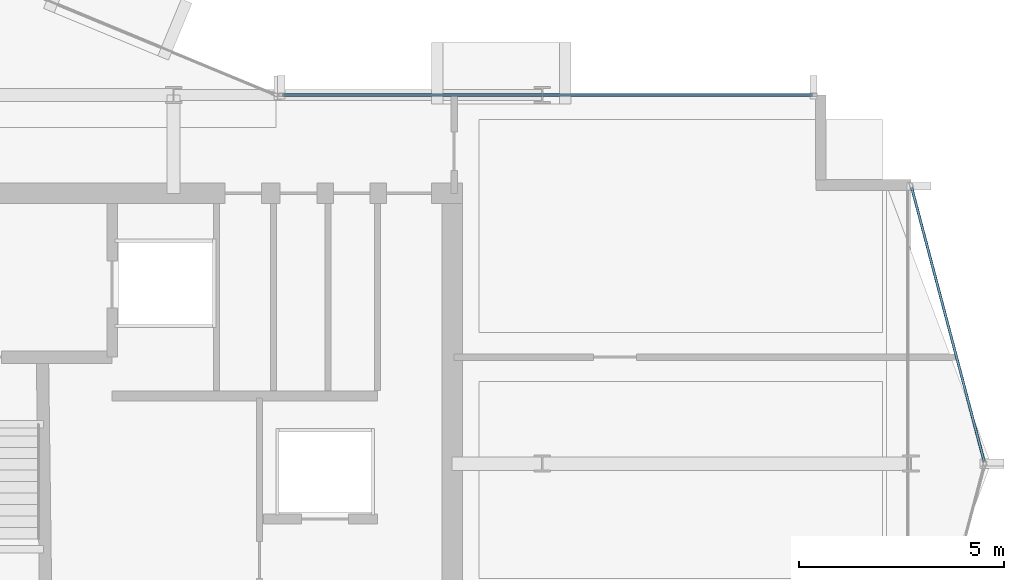
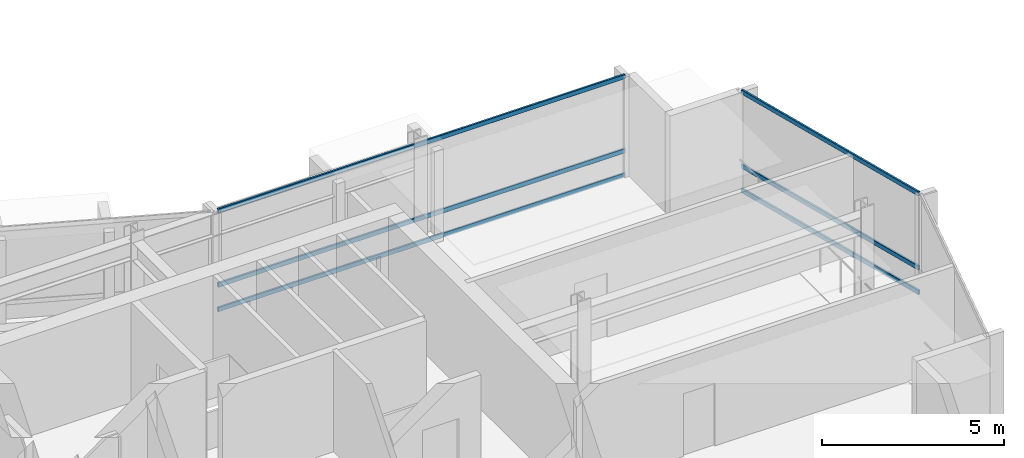
# One storey, part 13 of 27: 6 members, 2 elements without a shape of their own.
"""IFC4 building model written with IfcOpenShell, lengths in metres."""

from ifc_helpers import new_model, si_unit, direction, frame, origin, origin_2d, place, context, subcontext, project, spatial, hollow_rectangle, extrude, material, layer, layer_set, material_profile, profile_set, type_object, element, aggregate, save


model = new_model("IFC4")

# Units and contexts
model_context = context("Model", 3, precision=1e-05, world=origin(), true_north=direction((0.0, 1.0)))
body_context = subcontext(model_context, "Body", "Model", "MODEL_VIEW")
ifc_project = project(units=[si_unit("LENGTHUNIT", "METRE"), si_unit("AREAUNIT", "SQUARE_METRE"), si_unit("VOLUMEUNIT", "CUBIC_METRE"), si_unit("PLANEANGLEUNIT", "RADIAN"), si_unit("MASSUNIT", "GRAM", prefix="KILO")], contexts=[model_context])

# Site, building, storey
site_placement = place(None, origin())
site = spatial("IfcSite", under=ifc_project, at=site_placement, CompositionType="ELEMENT")
building_placement = place(site_placement, origin())
building = spatial("IfcBuilding", under=site, at=building_placement, Name="Solvaryn Broadcast Tower", CompositionType="ELEMENT")
storey_placement = place(building_placement, frame((0.0, 0.0, 192.699951171875)))
storey = spatial("IfcBuildingStorey", under=building, at=storey_placement, Name="L48", CompositionType="ELEMENT", Elevation=192.699951171875)

# Curtain wall, members
ifc_material_1 = material(Name="Aluminium and Terracotta Unitised Curtain Wall", Category="masonry")
ifc_layer = layer(ifc_material_1, 0.199951171875)
ifc_layer_set = layer_set([ifc_layer], Name="CW-SYS2-LOWMID")
curtain_wall_type = type_object("IfcCurtainWallType", Name="CW-SYS2-LOWMID", PredefinedType="NOTDEFINED", material=ifc_layer_set)
curtain_wall_1_placement = place(storey_placement, origin())
curtain_wall_1 = element("IfcCurtainWall", 1, at=curtain_wall_1_placement, inside=storey, type_object=curtain_wall_type, Name="L48 Curtain Wall ET1", PredefinedType="NOTDEFINED")
ifc_material_2 = material(Name="Anodised Aluminium 6063-T6", Category="aluminium")
ifc_material_profile = material_profile(ifc_material_2, hollow_rectangle(XDim=0.06494140625, YDim=0.14990234375, WallThickness=0.00390625, InnerFilletRadius=0.00390625, OuterFilletRadius=0.008056640625, at=origin_2d()))
ifc_profile_set = profile_set([ifc_material_profile], Name="Anodised Aluminium 6063-T6")
member_type = type_object("IfcMemberType", Name="CW-TRN-150", PredefinedType="USERDEFINED", material=ifc_profile_set)
member_1_placement = place(storey_placement, frame((54.015380859375, 24.741943359375, 0.030029296875), z_axis=(0.255897413051, -0.966703943301, 0.0), x_axis=(0.966703943301, 0.255897413051, 0.0)))
member_1 = element("IfcMember", 2, at=member_1_placement, type_object=member_type, Name="CWS2 transom 1.1", ObjectType="TRANSOM", PredefinedType="USERDEFINED", context=body_context, shape_type="SweptSolid", body=[
    extrude(hollow_rectangle(XDim=0.06494140625, YDim=0.14990234375, WallThickness=0.00390625, InnerFilletRadius=0.00390625, OuterFilletRadius=0.008056640625, at=origin_2d()), origin(), (0.0, 0.0, 1.0), 6.9140625),
])
member_2_placement = place(storey_placement, frame((54.015380859375, 24.741943359375, 0.85009765625), z_axis=(0.255897413051, -0.966703943301, 0.0), x_axis=(0.966703943301, 0.255897413051, 0.0)))
member_2 = element("IfcMember", 3, at=member_2_placement, type_object=member_type, Name="CWS2 transom 1.2", ObjectType="TRANSOM", PredefinedType="USERDEFINED", context=body_context, shape_type="SweptSolid", body=[
    extrude(hollow_rectangle(XDim=0.06494140625, YDim=0.14990234375, WallThickness=0.00390625, InnerFilletRadius=0.00390625, OuterFilletRadius=0.008056640625, at=origin_2d()), origin(), (0.0, 0.0, 1.0), 6.9140625),
])
member_3_placement = place(storey_placement, frame((54.015380859375, 24.741943359375, 3.340087890625), z_axis=(0.255897413051, -0.966703943301, 0.0), x_axis=(0.966703943301, 0.255897413051, 0.0)))
member_3 = element("IfcMember", 4, at=member_3_placement, type_object=member_type, Name="CWS2 transom 1.3", ObjectType="TRANSOM", PredefinedType="USERDEFINED", context=body_context, shape_type="SweptSolid", body=[
    extrude(hollow_rectangle(XDim=0.06494140625, YDim=0.14990234375, WallThickness=0.00390625, InnerFilletRadius=0.00390625, OuterFilletRadius=0.008056640625, at=origin_2d()), origin(), (0.0, 0.0, 1.0), 6.9140625),
])
aggregate(curtain_wall_1, [member_1, member_2, member_3])

curtain_wall_2_placement = place(storey_placement, origin())
curtain_wall_2 = element("IfcCurtainWall", 5, at=curtain_wall_2_placement, inside=storey, type_object=curtain_wall_type, Name="L48 Curtain Wall IH", PredefinedType="NOTDEFINED")
member_4_placement = place(storey_placement, frame((38.659912109375, 27.0, 0.030029296875), z_axis=(1.0, 0.0, 0.0), x_axis=(0.0, 1.0, 0.0)))
member_4 = element("IfcMember", 6, at=member_4_placement, type_object=member_type, Name="CWS2 transom 1.1", ObjectType="TRANSOM", PredefinedType="USERDEFINED", context=body_context, shape_type="SweptSolid", body=[
    extrude(hollow_rectangle(XDim=0.06494140625, YDim=0.14990234375, WallThickness=0.00390625, InnerFilletRadius=0.00390625, OuterFilletRadius=0.008056640625, at=origin_2d()), origin(), (0.0, 0.0, 1.0), 12.93017578125),
])
member_5_placement = place(storey_placement, frame((38.659912109375, 27.0, 0.85009765625), z_axis=(1.0, 0.0, 0.0), x_axis=(0.0, 1.0, 0.0)))
member_5 = element("IfcMember", 7, at=member_5_placement, type_object=member_type, Name="CWS2 transom 1.2", ObjectType="TRANSOM", PredefinedType="USERDEFINED", context=body_context, shape_type="SweptSolid", body=[
    extrude(hollow_rectangle(XDim=0.06494140625, YDim=0.14990234375, WallThickness=0.00390625, InnerFilletRadius=0.00390625, OuterFilletRadius=0.008056640625, at=origin_2d()), origin(), (0.0, 0.0, 1.0), 12.93017578125),
])
member_6_placement = place(storey_placement, frame((38.659912109375, 27.0, 3.340087890625), z_axis=(1.0, 0.0, 0.0), x_axis=(0.0, 1.0, 0.0)))
member_6 = element("IfcMember", 8, at=member_6_placement, type_object=member_type, Name="CWS2 transom 1.3", ObjectType="TRANSOM", PredefinedType="USERDEFINED", context=body_context, shape_type="SweptSolid", body=[
    extrude(hollow_rectangle(XDim=0.06494140625, YDim=0.14990234375, WallThickness=0.00390625, InnerFilletRadius=0.00390625, OuterFilletRadius=0.008056640625, at=origin_2d()), origin(), (0.0, 0.0, 1.0), 12.93017578125),
])
aggregate(curtain_wall_2, [member_4, member_5, member_6])

save(model, "model.ifc")
